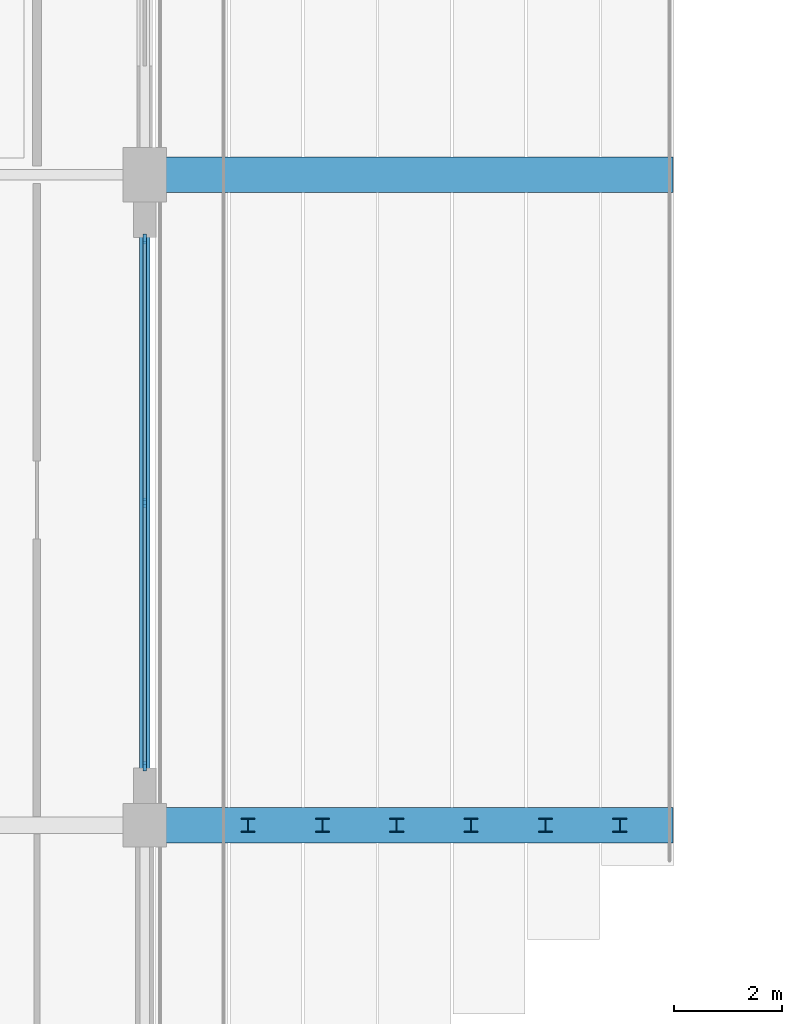
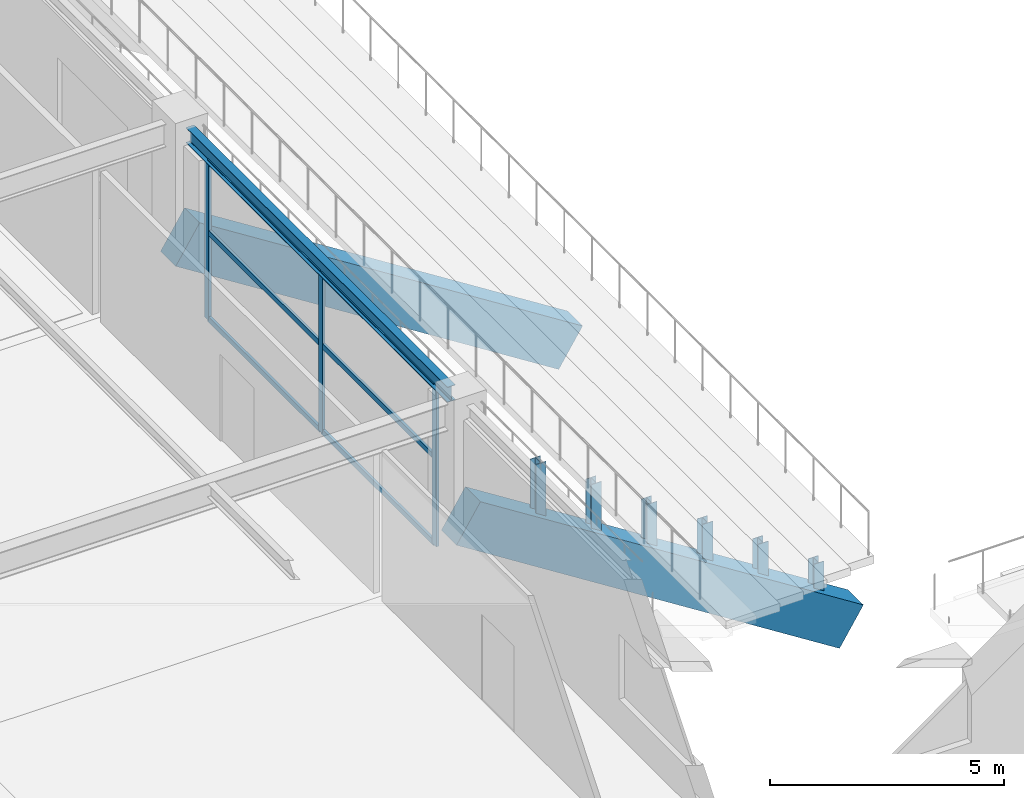
# One storey, part 11 of 134: 15 members, 3 beams, 1 element without a shape of its own.
"""IFC4 building model written with IfcOpenShell, lengths in metres."""

from ifc_helpers import new_model, si_unit, direction, frame, origin, origin_2d, place, context, subcontext, project, spatial, rectangle, i_section, extrude, material, layer, layer_set, material_profile, profile_set, type_object, element, aggregate, save


model = new_model("IFC4")

# Units and contexts
model_context = context("Model", 3, precision=1e-05, world=origin(), true_north=direction((0.0, 1.0)))
body_context = subcontext(model_context, "Body", "Model", "MODEL_VIEW")
ifc_project = project(units=[si_unit("LENGTHUNIT", "METRE"), si_unit("AREAUNIT", "SQUARE_METRE"), si_unit("VOLUMEUNIT", "CUBIC_METRE"), si_unit("PLANEANGLEUNIT", "RADIAN"), si_unit("MASSUNIT", "GRAM", prefix="KILO")], contexts=[model_context])

# Site, building, storey
site_placement = place(None, origin())
site = spatial("IfcSite", under=ifc_project, at=site_placement, CompositionType="ELEMENT")
building_placement = place(site_placement, origin())
building = spatial("IfcBuilding", under=site, at=building_placement, Name="Kazenohara Klinker Stadium", CompositionType="ELEMENT")
storey_placement = place(building_placement, frame((0.0, 0.0, 5.39990234375)))
storey = spatial("IfcBuildingStorey", under=building, at=storey_placement, Name="L01", CompositionType="ELEMENT", Elevation=5.39990234375)

# Beam
ifc_material_1 = material(Name="Steel S355", Category="steel")
ifc_material_profile_1 = material_profile(ifc_material_1, i_section(OverallWidth=0.199951171875, OverallDepth=0.39990234375, WebThickness=0.008056640625, FlangeThickness=0.012939453125, FilletRadius=0.012939453125, at=origin_2d()), Name="H-400x200x8x13")
ifc_profile_set_1 = profile_set([ifc_material_profile_1], Name="Steel S355")
beam_type_1 = type_object("IfcBeamType", Name="BM-SPD01", PredefinedType="SPANDREL", material=ifc_profile_set_1)
beam_placement = place(storey_placement, frame((49.0, 48.39990234375, 4.35009765625), z_axis=(0.0, 1.0, 0.0), x_axis=(-1.0, 0.0, 0.0)))
element("IfcBeam", 1, at=beam_placement, inside=storey, type_object=beam_type_1, Name="Primary girder SP01 L01 5/E-F", PredefinedType="SPANDREL", context=body_context, shape_type="SweptSolid", body=[
    extrude(i_section(OverallWidth=0.199951171875, OverallDepth=0.39990234375, WebThickness=0.008056640625, FlangeThickness=0.012939453125, FilletRadius=0.012939453125, at=origin_2d()), origin(), (0.0, 0.0, 1.0), 11.18017578125),
])

# Curtain wall, members
ifc_material_2 = material(Name="Anodised aluminium and triple glazing", Category="aluminium")
ifc_layer = layer(ifc_material_2, 0.169921875)
ifc_layer_set = layer_set([ifc_layer], Name="Anodised aluminium and triple glazing")
curtain_wall_type = type_object("IfcCurtainWallType", Name="CW-SYS-04", PredefinedType="USERDEFINED", material=ifc_layer_set)
curtain_wall_placement = place(storey_placement, origin())
curtain_wall = element("IfcCurtainWall", 2, at=curtain_wall_placement, inside=storey, type_object=curtain_wall_type, Name="Unitised facade curtain wall CW04 L01 Y4-4", ObjectType="UNITISED CURTAIN WALL", PredefinedType="USERDEFINED")
ifc_material_3 = material(Name="Anodised aluminium 6063-T6", Category="aluminium")
ifc_material_profile_2 = material_profile(ifc_material_3, rectangle(XDim=0.06494140625, YDim=0.179931640625, at=origin_2d()), Name="ALU-MUL-65x180")
ifc_profile_set_2 = profile_set([ifc_material_profile_2], Name="Anodised aluminium 6063-T6")
member_type_1 = type_object("IfcMemberType", Name="CW-MUL-180", PredefinedType="MULLION", material=ifc_profile_set_2)
member_1_placement = place(storey_placement, frame((49.0, 49.08642578125, 0.0), z_axis=(0.0, 0.0, 1.0), x_axis=(-1.0, 0.0, 0.0)))
member_1 = element("IfcMember", 3, at=member_1_placement, type_object=member_type_1, Name="CW04 mullion 1", PredefinedType="MULLION", context=body_context, shape_type="SweptSolid", body=[
    extrude(rectangle(XDim=0.06494140625, YDim=0.179931640625, at=origin_2d()), origin(), (0.0, 0.0, 1.0), 4.150146484375),
])
member_2_placement = place(storey_placement, frame((49.0, 53.949951171875, 0.0), z_axis=(0.0, 0.0, 1.0), x_axis=(-1.0, 0.0, 0.0)))
member_2 = element("IfcMember", 4, at=member_2_placement, type_object=member_type_1, Name="CW04 mullion 2", PredefinedType="MULLION", context=body_context, shape_type="SweptSolid", body=[
    extrude(rectangle(XDim=0.06494140625, YDim=0.179931640625, at=origin_2d()), origin(), (0.0, 0.0, 1.0), 4.150146484375),
])
member_3_placement = place(storey_placement, frame((49.0, 58.8134765625, 0.0), z_axis=(0.0, 0.0, 1.0), x_axis=(-1.0, 0.0, 0.0)))
member_3 = element("IfcMember", 5, at=member_3_placement, type_object=member_type_1, Name="CW04 mullion 3", PredefinedType="MULLION", context=body_context, shape_type="SweptSolid", body=[
    extrude(rectangle(XDim=0.06494140625, YDim=0.179931640625, at=origin_2d()), origin(), (0.0, 0.0, 1.0), 4.150146484375),
])
ifc_material_profile_3 = material_profile(ifc_material_3, rectangle(XDim=0.06494140625, YDim=0.139892578125, at=origin_2d()), Name="ALU-TRN-65x140")
ifc_profile_set_3 = profile_set([ifc_material_profile_3], Name="Anodised aluminium 6063-T6")
member_type_2 = type_object("IfcMemberType", Name="CW-TRN-140", PredefinedType="USERDEFINED", material=ifc_profile_set_3)
member_4_placement = place(storey_placement, frame((49.0, 49.118896484375, 0.03271484375), z_axis=(0.0, 1.0, 0.0), x_axis=(-1.0, 0.0, 0.0)))
member_4 = element("IfcMember", 6, at=member_4_placement, type_object=member_type_2, Name="CW04 transom 1.1", ObjectType="TRANSOM", PredefinedType="USERDEFINED", context=body_context, shape_type="SweptSolid", body=[
    extrude(rectangle(XDim=0.06494140625, YDim=0.139892578125, at=origin_2d()), origin(), (0.0, 0.0, 1.0), 4.798583984375),
])
member_5_placement = place(storey_placement, frame((49.0, 49.118896484375, 2.28271484375), z_axis=(0.0, 1.0, 0.0), x_axis=(-1.0, 0.0, 0.0)))
member_5 = element("IfcMember", 7, at=member_5_placement, type_object=member_type_2, Name="CW04 transom 1.2", ObjectType="TRANSOM", PredefinedType="USERDEFINED", context=body_context, shape_type="SweptSolid", body=[
    extrude(rectangle(XDim=0.06494140625, YDim=0.139892578125, at=origin_2d()), origin(), (0.0, 0.0, 1.0), 4.798583984375),
])
member_6_placement = place(storey_placement, frame((49.0, 49.118896484375, 4.11767578125), z_axis=(0.0, 1.0, 0.0), x_axis=(-1.0, 0.0, 0.0)))
member_6 = element("IfcMember", 8, at=member_6_placement, type_object=member_type_2, Name="CW04 transom 1.3", ObjectType="TRANSOM", PredefinedType="USERDEFINED", context=body_context, shape_type="SweptSolid", body=[
    extrude(rectangle(XDim=0.06494140625, YDim=0.139892578125, at=origin_2d()), origin(), (0.0, 0.0, 1.0), 4.798583984375),
])
member_7_placement = place(storey_placement, frame((49.0, 53.982421875, 0.03271484375), z_axis=(0.0, 1.0, 0.0), x_axis=(-1.0, 0.0, 0.0)))
member_7 = element("IfcMember", 9, at=member_7_placement, type_object=member_type_2, Name="CW04 transom 2.1", ObjectType="TRANSOM", PredefinedType="USERDEFINED", context=body_context, shape_type="SweptSolid", body=[
    extrude(rectangle(XDim=0.06494140625, YDim=0.139892578125, at=origin_2d()), origin(), (0.0, 0.0, 1.0), 4.798583984375),
])
member_8_placement = place(storey_placement, frame((49.0, 53.982421875, 2.28271484375), z_axis=(0.0, 1.0, 0.0), x_axis=(-1.0, 0.0, 0.0)))
member_8 = element("IfcMember", 10, at=member_8_placement, type_object=member_type_2, Name="CW04 transom 2.2", ObjectType="TRANSOM", PredefinedType="USERDEFINED", context=body_context, shape_type="SweptSolid", body=[
    extrude(rectangle(XDim=0.06494140625, YDim=0.139892578125, at=origin_2d()), origin(), (0.0, 0.0, 1.0), 4.798583984375),
])
member_9_placement = place(storey_placement, frame((49.0, 53.982421875, 4.11767578125), z_axis=(0.0, 1.0, 0.0), x_axis=(-1.0, 0.0, 0.0)))
member_9 = element("IfcMember", 11, at=member_9_placement, type_object=member_type_2, Name="CW04 transom 2.3", ObjectType="TRANSOM", PredefinedType="USERDEFINED", context=body_context, shape_type="SweptSolid", body=[
    extrude(rectangle(XDim=0.06494140625, YDim=0.139892578125, at=origin_2d()), origin(), (0.0, 0.0, 1.0), 4.798583984375),
])
aggregate(curtain_wall, [member_1, member_2, member_3, member_4, member_5, member_6, member_7, member_8, member_9])

# Members
ifc_material_profile_4 = material_profile(ifc_material_1, i_section(OverallWidth=0.25, OverallDepth=0.25, WebThickness=0.009033203125, FlangeThickness=0.013916015625, FilletRadius=0.012939453125, at=origin_2d()), Name="H-250x250x9x14")
ifc_profile_set_4 = profile_set([ifc_material_profile_4], Name="Steel S355")
member_type_3 = type_object("IfcMemberType", Name="MEM-STR02", PredefinedType="STRUT", material=ifc_profile_set_4)
member_10_placement = place(storey_placement, frame((50.904296875, 48.0, 0.407470703125), z_axis=(0.0, 0.0, 1.0), x_axis=(1.0, 0.0, 0.0)))
element("IfcMember", 12, at=member_10_placement, inside=storey, type_object=member_type_3, Name="Precast tier riser stool LOWER-W-02-04", PredefinedType="STRUT", context=body_context, shape_type="SweptSolid", body=[
    extrude(i_section(OverallWidth=0.25, OverallDepth=0.25, WebThickness=0.009033203125, FlangeThickness=0.013916015625, FilletRadius=0.012939453125, at=origin_2d()), origin(), (0.0, 0.0, 1.0), 1.78271484375),
])
member_11_placement = place(storey_placement, frame((52.275634765625, 48.0, -0.463134765625), z_axis=(0.0, 0.0, 1.0), x_axis=(1.0, 0.0, 0.0)))
element("IfcMember", 13, at=member_11_placement, inside=storey, type_object=member_type_3, Name="Precast tier riser stool LOWER-W-03-04", PredefinedType="STRUT", context=body_context, shape_type="SweptSolid", body=[
    extrude(i_section(OverallWidth=0.25, OverallDepth=0.25, WebThickness=0.009033203125, FlangeThickness=0.013916015625, FilletRadius=0.012939453125, at=origin_2d()), origin(), (0.0, 0.0, 1.0), 1.6533203125),
])
member_12_placement = place(storey_placement, frame((53.647216796875, 48.0, -1.333984375), z_axis=(0.0, 0.0, 1.0), x_axis=(1.0, 0.0, 0.0)))
element("IfcMember", 14, at=member_12_placement, inside=storey, type_object=member_type_3, Name="Precast tier riser stool LOWER-W-04-04", PredefinedType="STRUT", context=body_context, shape_type="SweptSolid", body=[
    extrude(i_section(OverallWidth=0.25, OverallDepth=0.25, WebThickness=0.009033203125, FlangeThickness=0.013916015625, FilletRadius=0.012939453125, at=origin_2d()), origin(), (0.0, 0.0, 1.0), 1.524169921875),
])
member_13_placement = place(storey_placement, frame((55.0185546875, 48.0, -2.20458984375), z_axis=(0.0, 0.0, 1.0), x_axis=(1.0, 0.0, 0.0)))
element("IfcMember", 15, at=member_13_placement, inside=storey, type_object=member_type_3, Name="Precast tier riser stool LOWER-W-05-04", PredefinedType="STRUT", context=body_context, shape_type="SweptSolid", body=[
    extrude(i_section(OverallWidth=0.25, OverallDepth=0.25, WebThickness=0.009033203125, FlangeThickness=0.013916015625, FilletRadius=0.012939453125, at=origin_2d()), origin(), (0.0, 0.0, 1.0), 1.394775390625),
])
member_14_placement = place(storey_placement, frame((56.389892578125, 48.0, -3.075439453125), z_axis=(0.0, 0.0, 1.0), x_axis=(1.0, 0.0, 0.0)))
element("IfcMember", 16, at=member_14_placement, inside=storey, type_object=member_type_3, Name="Precast tier riser stool LOWER-W-06-04", PredefinedType="STRUT", context=body_context, shape_type="SweptSolid", body=[
    extrude(i_section(OverallWidth=0.25, OverallDepth=0.25, WebThickness=0.009033203125, FlangeThickness=0.013916015625, FilletRadius=0.012939453125, at=origin_2d()), origin(), (0.0, 0.0, 1.0), 1.265625),
])
member_15_placement = place(storey_placement, frame((57.761474609375, 48.0, -3.9462890625), z_axis=(0.0, 0.0, 1.0), x_axis=(1.0, 0.0, 0.0)))
element("IfcMember", 17, at=member_15_placement, inside=storey, type_object=member_type_3, Name="Precast tier riser stool LOWER-W-07-04", PredefinedType="STRUT", context=body_context, shape_type="SweptSolid", body=[
    extrude(i_section(OverallWidth=0.25, OverallDepth=0.25, WebThickness=0.009033203125, FlangeThickness=0.013916015625, FilletRadius=0.012939453125, at=origin_2d()), origin(), (0.0, 0.0, 1.0), 1.136474609375),
])

# Beams
ifc_material_4 = material(Name="Precast concrete C50/60", Category="concrete")
ifc_material_profile_5 = material_profile(ifc_material_4, rectangle(XDim=0.64990234375, YDim=1.10009765625, at=origin_2d()), Name="PC-RAKER-650x1100")
ifc_profile_set_5 = profile_set([ifc_material_profile_5], Name="Precast concrete C50/60")
beam_type_2 = type_object("IfcBeamType", Name="RAKER-RK01", PredefinedType="USERDEFINED", material=ifc_profile_set_5)
for number, where, z_axis, x_axis, name in (
    (18, (49.0, 48.0, 1.401611328125), (0.844211562005, 0.0, -0.536010110518), (0.0, 1.0, 0.0), "Precast bowl raker girder RK01 LOWER West E"),
    (19, (49.0, 60.0, 1.401611328125), (0.844211562005, 0.0, -0.536010110518), (0.0, 1.0, 0.0), "Precast bowl raker girder RK01 LOWER West F"),
):
    element("IfcBeam", number, at=place(storey_placement, frame(where, z_axis=z_axis, x_axis=x_axis)), inside=storey, type_object=beam_type_2, Name=name, ObjectType="RAKER", PredefinedType="USERDEFINED", context=body_context, shape_type="SweptSolid", body=[
        extrude(rectangle(XDim=0.64990234375, YDim=1.10009765625, at=origin_2d()), origin(), (0.0, 0.0, 1.0), 11.19384765625),
    ])

save(model, "model.ifc")
